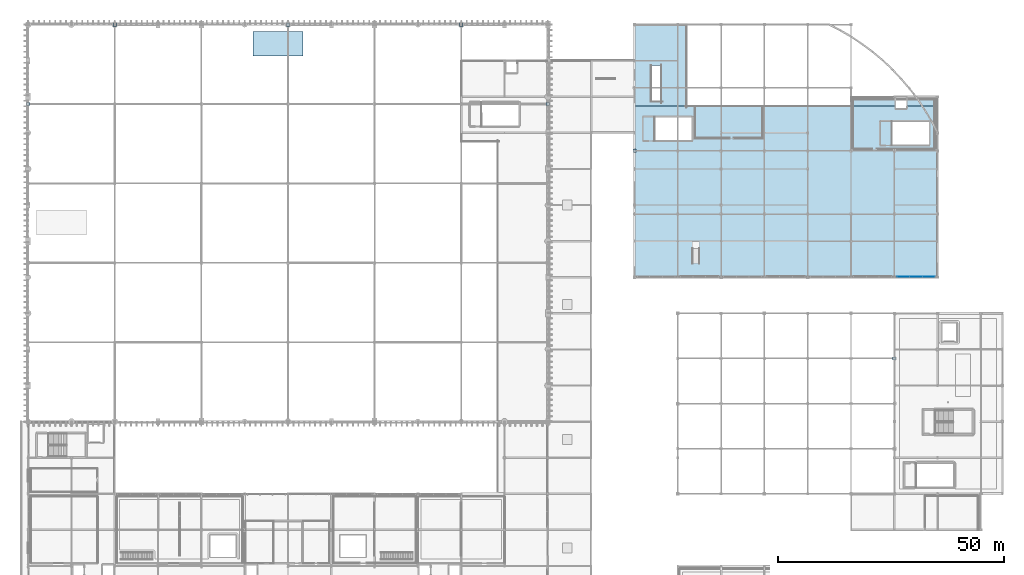
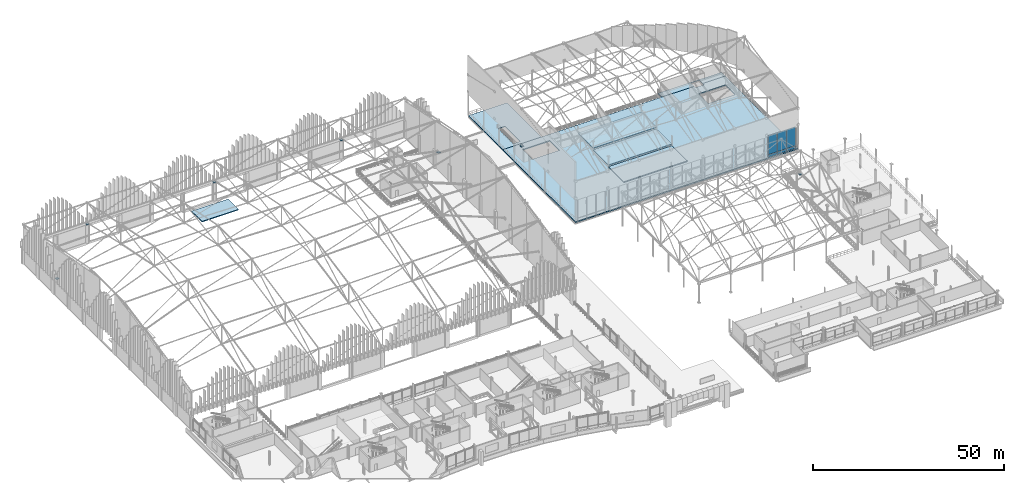
# One storey, part 148 of 193: 13 plates, 7 slabs, 1 element without a shape of its own.
"""IFC4 building model written with IfcOpenShell, lengths in metres."""

from ifc_helpers import new_model, si_unit, direction, frame, origin, origin_2d, place, context, subcontext, project, spatial, polyline, rectangle, outline, extrude, material, layer, layer_set, type_object, element, aggregate, save


model = new_model("IFC4")

# Units and contexts
model_context = context("Model", 3, precision=1e-05, world=origin(), true_north=direction((0.0, 1.0)))
body_context = subcontext(model_context, "Body", "Model", "MODEL_VIEW")
ifc_project = project(units=[si_unit("LENGTHUNIT", "METRE"), si_unit("AREAUNIT", "SQUARE_METRE"), si_unit("VOLUMEUNIT", "CUBIC_METRE"), si_unit("PLANEANGLEUNIT", "RADIAN"), si_unit("MASSUNIT", "GRAM", prefix="KILO")], contexts=[model_context])

# Site, building, storey
site_placement = place(None, origin())
site = spatial("IfcSite", under=ifc_project, at=site_placement, CompositionType="ELEMENT")
building_placement = place(site_placement, origin())
building = spatial("IfcBuilding", under=site, at=building_placement, Name="Danafjord Basin Convention Centre", CompositionType="ELEMENT")
storey_placement = place(building_placement, frame((0.0, 0.0, 11.39990234375)))
storey = spatial("IfcBuildingStorey", under=building, at=storey_placement, Name="L02", CompositionType="ELEMENT", Elevation=11.39990234375)

# Plates
ifc_material_1 = material(Name="Steel S355", Category="steel")
ifc_layer_1 = layer(ifc_material_1, 0.06494140625)
ifc_layer_set_1 = layer_set([ifc_layer_1], Name="Steel S355")
plate_type_1 = type_object("IfcPlateType", Name="PLT-BP-65", PredefinedType="SHEET", material=ifc_layer_set_1)
for number, where, z_axis, x_axis, name in (
    (1, (0.0, 126.39990234375, 5.667724609375), (0.0, 0.0, 1.0), (1.0, 0.0, 0.0), "V1 space-frame ring bearing plate"),
    (2, (19.199951171875, 144.0, 5.667724609375), (0.0, 0.0, 1.0), (1.0, 0.0, 0.0), "V1 space-frame ring bearing plate"),
    (3, (57.60009765625, 144.0, 5.667724609375), (0.0, 0.0, 1.0), (1.0, 0.0, 0.0), "V1 space-frame ring bearing plate"),
    (4, (96.0, 144.0, 5.667724609375), (0.0, 0.0, 1.0), (1.0, 0.0, 0.0), "V1 space-frame ring bearing plate"),
    (5, (115.199951171875, 126.39990234375, 5.667724609375), (0.0, 0.0, 1.0), (1.0, 0.0, 0.0), "V1 space-frame ring bearing plate"),
    (6, (134.39990234375, 116.0, 7.267578125), (0.0, 0.0, 1.0), (1.0, 0.0, 0.0), "V2 space-frame ring bearing plate"),
    (7, (192.0, 70.0, 5.967529296875), (0.0, 0.0, 1.0), (1.0, 0.0, 0.0), "V3 space-frame ring bearing plate"),
):
    element("IfcPlate", number, at=place(storey_placement, frame(where, z_axis=z_axis, x_axis=x_axis)), inside=storey, type_object=plate_type_1, Name=name, PredefinedType="SHEET", context=body_context, shape_type="SweptSolid", body=[
        extrude(rectangle(XDim=0.75, YDim=0.75, at=origin_2d()), origin(), (0.0, 0.0, 1.0), 0.06494140625),
    ])

# Curtain wall, plates
ifc_material_2 = material(Name="Anodised aluminium and triple glazing", Category="aluminium")
curtain_wall_type = type_object("IfcCurtainWallType", Name="CW-CW-DRUM", PredefinedType="NOTDEFINED", material=ifc_material_2)
curtain_wall_placement = place(storey_placement, origin())
curtain_wall = element("IfcCurtainWall", 8, at=curtain_wall_placement, inside=storey, type_object=curtain_wall_type, Name="L02 CW-DRUM unitised curtain wall bay 128", PredefinedType="NOTDEFINED")
ifc_material_3 = material(Name="Triple low-E insulated glazing", Category="glass")
ifc_layer_2 = layer(ifc_material_3, 0.0380859375)
ifc_layer_set_2 = layer_set([ifc_layer_2], Name="Triple low-E insulated glazing")
plate_type_2 = type_object("IfcPlateType", Name="PLT-GP-38", PredefinedType="CURTAIN_PANEL", material=ifc_layer_set_2)
plate_1_placement = place(storey_placement, frame((194.0, 88.1201171875, 0.97802734375), z_axis=(0.0, 0.0, 1.0), x_axis=(1.0, 0.0, 0.0)))
plate_1 = element("IfcPlate", 9, at=plate_1_placement, type_object=plate_type_2, Name="CW-L02-128 vision glazing unit 1", PredefinedType="CURTAIN_PANEL", context=body_context, shape_type="SweptSolid", body=[
    extrude(rectangle(XDim=2.743896484375, YDim=0.0380859375, at=origin_2d()), origin(), (0.0, 0.0, 1.0), 6.083984375),
])
plate_2_placement = place(storey_placement, frame((196.800048828125, 88.1201171875, 0.97802734375), z_axis=(0.0, 0.0, 1.0), x_axis=(1.0, 0.0, 0.0)))
plate_2 = element("IfcPlate", 10, at=plate_2_placement, type_object=plate_type_2, Name="CW-L02-128 vision glazing unit 2", PredefinedType="CURTAIN_PANEL", context=body_context, shape_type="SweptSolid", body=[
    extrude(rectangle(XDim=2.743896484375, YDim=0.0380859375, at=origin_2d()), origin(), (0.0, 0.0, 1.0), 6.083984375),
])
plate_3_placement = place(storey_placement, frame((199.60009765625, 88.1201171875, 0.97802734375), z_axis=(0.0, 0.0, 1.0), x_axis=(1.0, 0.0, 0.0)))
plate_3 = element("IfcPlate", 11, at=plate_3_placement, type_object=plate_type_2, Name="CW-L02-128 vision glazing unit 3", PredefinedType="CURTAIN_PANEL", context=body_context, shape_type="SweptSolid", body=[
    extrude(rectangle(XDim=2.743896484375, YDim=0.0380859375, at=origin_2d()), origin(), (0.0, 0.0, 1.0), 6.083984375),
])
ifc_material_4 = material(Name="Insulated aluminium spandrel cassette", Category="aluminium")
ifc_layer_3 = layer(ifc_material_4, 0.070068359375)
ifc_layer_set_3 = layer_set([ifc_layer_3], Name="Insulated aluminium spandrel cassette")
plate_type_3 = type_object("IfcPlateType", Name="PLT-SPN-70", PredefinedType="CURTAIN_PANEL", material=ifc_layer_set_3)
plate_4_placement = place(storey_placement, frame((194.0, 88.1201171875, 0.088134765625), z_axis=(0.0, 0.0, 1.0), x_axis=(1.0, 0.0, 0.0)))
plate_4 = element("IfcPlate", 12, at=plate_4_placement, type_object=plate_type_3, Name="CW-L02-128 spandrel cassette 1", PredefinedType="CURTAIN_PANEL", context=body_context, shape_type="SweptSolid", body=[
    extrude(rectangle(XDim=2.743896484375, YDim=0.070068359375, at=origin_2d()), origin(), (0.0, 0.0, 1.0), 0.833984375),
])
plate_5_placement = place(storey_placement, frame((196.800048828125, 88.1201171875, 0.088134765625), z_axis=(0.0, 0.0, 1.0), x_axis=(1.0, 0.0, 0.0)))
plate_5 = element("IfcPlate", 13, at=plate_5_placement, type_object=plate_type_3, Name="CW-L02-128 spandrel cassette 2", PredefinedType="CURTAIN_PANEL", context=body_context, shape_type="SweptSolid", body=[
    extrude(rectangle(XDim=2.743896484375, YDim=0.070068359375, at=origin_2d()), origin(), (0.0, 0.0, 1.0), 0.833984375),
])
plate_6_placement = place(storey_placement, frame((199.60009765625, 88.1201171875, 0.088134765625), z_axis=(0.0, 0.0, 1.0), x_axis=(1.0, 0.0, 0.0)))
plate_6 = element("IfcPlate", 14, at=plate_6_placement, type_object=plate_type_3, Name="CW-L02-128 spandrel cassette 3", PredefinedType="CURTAIN_PANEL", context=body_context, shape_type="SweptSolid", body=[
    extrude(rectangle(XDim=2.743896484375, YDim=0.070068359375, at=origin_2d()), origin(), (0.0, 0.0, 1.0), 0.833984375),
])
aggregate(curtain_wall, [plate_4, plate_1, plate_5, plate_2, plate_6, plate_3])

# Slabs
ifc_material_5 = material(Name="Concrete C35/45", Category="concrete")
ifc_layer_4 = layer(ifc_material_5, 0.22998046875)
ifc_layer_set_4 = layer_set([ifc_layer_4], Name="Concrete C35/45")
slab_type_1 = type_object("IfcSlabType", Name="SLAB-FS-230", PredefinedType="FLOOR", material=ifc_layer_set_4)
slab_1_placement = place(storey_placement, frame((0.0, 0.0, -0.22998046875)))
element("IfcSlab", 15, at=slab_1_placement, inside=storey, type_object=slab_type_1, Name="L02 FS-230 slab SL-L02-V2N", PredefinedType="FLOOR", context=body_context, shape_type="SweptSolid", body=[
    extrude(outline(polyline([(134.39990234375, 144.0), (146.0, 144.0), (146.0, 126.0), (134.39990234375, 126.0), (134.39990234375, 144.0)]), holes=[polyline([(140.25, 127.0), (140.25, 134.97509765625), (138.14990234375, 134.97509765625), (138.14990234375, 127.0), (140.25, 127.0)])]), origin(), (0.0, 0.0, 1.0), 0.22998046875),
])
slab_2_placement = place(storey_placement, frame((0.0, 0.0, -0.22998046875)))
element("IfcSlab", 16, at=slab_2_placement, inside=storey, type_object=slab_type_1, Name="L02 FS-230 slab SL-L02-V2E", PredefinedType="FLOOR", context=body_context, shape_type="SweptSolid", body=[
    extrude(outline(polyline([(182.39990234375, 128.0), (201.60009765625, 128.0), (201.60009765625, 126.0), (194.800048828125, 126.0), (194.800048828125, 127.89990234375), (192.199951171875, 127.89990234375), (192.199951171875, 126.0), (182.39990234375, 126.0), (182.39990234375, 128.0)])), origin(), (0.0, 0.0, 1.0), 0.22998046875),
])
ifc_layer_5 = layer(ifc_material_5, 0.360107421875)
ifc_layer_set_5 = layer_set([ifc_layer_5], Name="Concrete C35/45")
slab_type_2 = type_object("IfcSlabType", Name="SLAB-FS-360", PredefinedType="FLOOR", material=ifc_layer_set_5)
slab_3_placement = place(storey_placement, frame((0.0, 0.0, -0.35986328125)))
element("IfcSlab", 17, at=slab_3_placement, inside=storey, type_object=slab_type_2, Name="L02 FS-360 slab SL-L02-V2S", PredefinedType="FLOOR", context=body_context, shape_type="SweptSolid", body=[
    extrude(outline(polyline([(192.199951171875, 126.0), (192.199951171875, 125.300048828125), (194.800048828125, 125.300048828125), (194.800048828125, 126.0), (201.60009765625, 126.0), (201.60009765625, 88.0), (134.39990234375, 88.0), (134.39990234375, 126.0), (192.199951171875, 126.0)]), holes=[polyline([(191.47998046875, 117.360107421875), (199.679931640625, 117.360107421875), (199.679931640625, 122.5), (191.47998046875, 122.5), (191.47998046875, 117.360107421875)]), polyline([(138.929931640625, 118.360107421875), (147.1298828125, 118.360107421875), (147.1298828125, 123.5), (138.929931640625, 123.5), (138.929931640625, 118.360107421875)])]), origin(), (0.0, 0.0, 1.0), 0.35986328125),
])
ifc_layer_6 = layer(ifc_material_5, 0.2451171875)
ifc_layer_set_6 = layer_set([ifc_layer_6], Name="Concrete C35/45")
slab_type_3 = type_object("IfcSlabType", Name="SLAB-RF-240", PredefinedType="ROOF", material=ifc_layer_set_6)
slab_4_placement = place(storey_placement, frame((0.0, 0.0, -0.244873046875)))
element("IfcSlab", 18, at=slab_4_placement, inside=storey, type_object=slab_type_3, Name="North Exhibition Perimeter Stair gravel maintenance shaft cap", PredefinedType="ROOF", context=body_context, shape_type="SweptSolid", body=[
    extrude(outline(polyline([(49.85009765625, 137.0), (60.889892578125, 137.0), (60.889892578125, 142.4599609375), (49.85009765625, 142.4599609375), (49.85009765625, 137.0)])), origin(), (0.0, 0.0, 1.0), 0.244873046875),
])
ifc_material_6 = material(Name="Precast concrete C40/50", Category="concrete")
ifc_layer_7 = layer(ifc_material_6, 0.260009765625)
ifc_layer_set_7 = layer_set([ifc_layer_7], Name="Precast concrete C40/50")
slab_type_4 = type_object("IfcSlabType", Name="SLAB-ST-TIER-260", PredefinedType="USERDEFINED", material=ifc_layer_set_7)
slab_5_placement = place(storey_placement, frame((0.0, 0.0, 0.940185546875)))
element("IfcSlab", 19, at=slab_5_placement, inside=storey, type_object=slab_type_4, Name="Plenary upper balcony seating tier row 1", ObjectType="SEATING TIER", PredefinedType="USERDEFINED", context=body_context, shape_type="SweptSolid", body=[
    extrude(outline(polyline([(153.60009765625, 96.0), (172.800048828125, 96.0), (172.800048828125, 104.0), (153.60009765625, 104.0), (153.60009765625, 96.0)])), origin(), (0.0, 0.0, 1.0), 0.260009765625),
])
slab_6_placement = place(storey_placement, frame((0.0, 0.0, 1.47998046875)))
element("IfcSlab", 20, at=slab_6_placement, inside=storey, type_object=slab_type_4, Name="Plenary upper balcony seating tier row 2", ObjectType="SEATING TIER", PredefinedType="USERDEFINED", context=body_context, shape_type="SweptSolid", body=[
    extrude(outline(polyline([(153.60009765625, 104.0), (172.800048828125, 104.0), (172.800048828125, 112.0), (153.60009765625, 112.0), (153.60009765625, 104.0)])), origin(), (0.0, 0.0, 1.0), 0.260009765625),
])
slab_7_placement = place(storey_placement, frame((0.0, 0.0, 2.02001953125)))
element("IfcSlab", 21, at=slab_7_placement, inside=storey, type_object=slab_type_4, Name="Plenary upper balcony seating tier row 3", ObjectType="SEATING TIER", PredefinedType="USERDEFINED", context=body_context, shape_type="SweptSolid", body=[
    extrude(outline(polyline([(153.60009765625, 112.0), (172.800048828125, 112.0), (172.800048828125, 120.0), (153.60009765625, 120.0), (153.60009765625, 112.0)])), origin(), (0.0, 0.0, 1.0), 0.260009765625),
])

save(model, "model.ifc")
